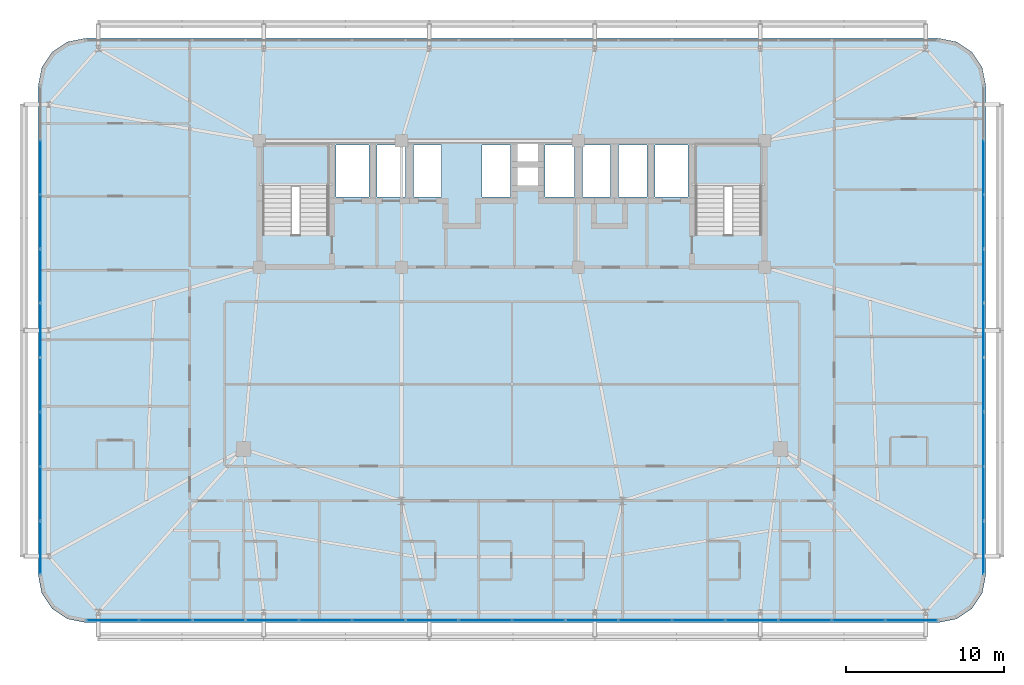
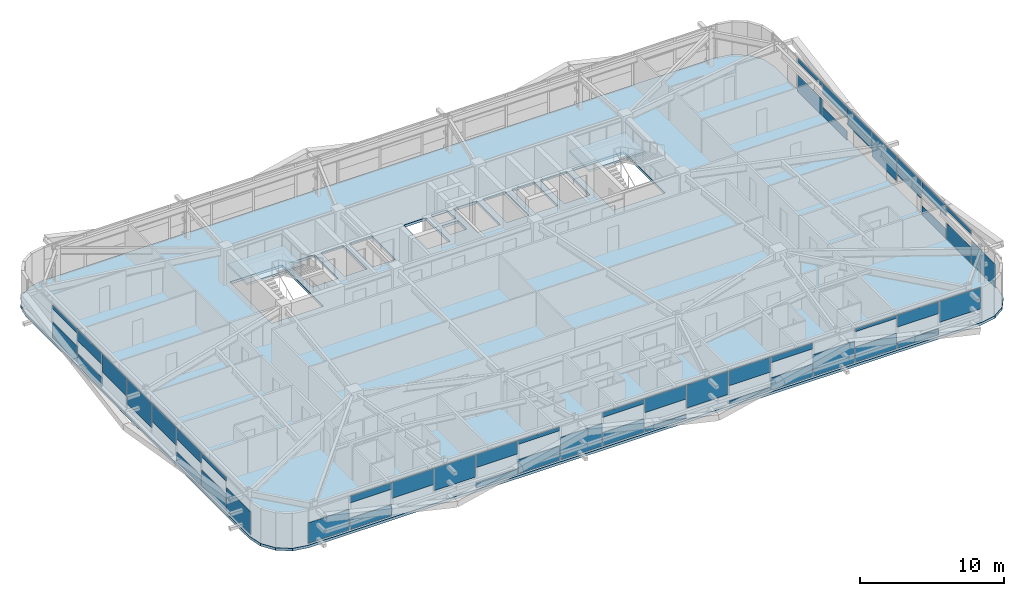
# One storey, part 42 of 59: 49 plates, 3 slabs, 5 elements without a shape of their own.
"""IFC4 building model written with IfcOpenShell, lengths in metres."""

import ifcopenshell
import ifcopenshell.guid

model = None  # the IFC model being written
_history = None  # IfcOwnerHistory: only IFC2X3 demands one
_inside = {}  # id of a spatial element -> (the spatial element, [elements in it])
_under = {}  # id of a project, library or spatial element -> (it, [spatial elements below it])
_declared = {}  # id of a project -> (the project, [libraries it declares])
_typed = {}  # id of a type object -> (the type object, [elements of that type])
_made_of = {}  # id of a material, layer set ... -> (it, [elements and type objects made of it])


def new_model(schema):
    """Start an empty IFC model of exactly this schema.

    Asked for "IFC4X3", IfcOpenShell would pick the latest addendum, in which some entities
    have other attributes; the version numbers below select the first issue.
    IFC2X3 requires an IfcOwnerHistory on every rooted entity: one is made here for all.
    """
    global model, _history
    if schema == "IFC4X3":
        model = ifcopenshell.file(schema_version=(4, 3, 0, 0))
    else:
        model = ifcopenshell.file(schema=schema)
    _inside.clear()
    _under.clear()
    _declared.clear()
    _typed.clear()
    _made_of.clear()
    _history = None
    if model.schema == "IFC2X3":
        org = make("IfcOrganization", Name="unknown")
        user = make(
            "IfcPersonAndOrganization",
            ThePerson=make("IfcPerson", FamilyName="unknown"),
            TheOrganization=org,
        )
        app = make(
            "IfcApplication",
            ApplicationDeveloper=org,
            Version="unknown",
            ApplicationFullName="unknown",
            ApplicationIdentifier="unknown",
        )
        _history = make(
            "IfcOwnerHistory",
            OwningUser=user,
            OwningApplication=app,
            ChangeAction="ADDED",
            CreationDate=0,
        )
    return model


def make(cls, **values):
    """One entity of the class cls with the attributes given. An attribute that is None is left unset."""
    return model.create_entity(
        cls, **{name: value for name, value in values.items() if value is not None}
    )


def rooted(cls, **values):
    """An entity with a GlobalId (a new one), such as an element, a storey or a relation."""
    return make(cls, GlobalId=ifcopenshell.guid.new(), OwnerHistory=_history, **values)


def si_unit(unit_type, name, prefix=None):
    """IfcSIUnit, for example si_unit("LENGTHUNIT", "METRE", prefix="MILLI")."""
    return make("IfcSIUnit", UnitType=unit_type, Prefix=prefix, Name=name)


def assignment(units):
    """IfcUnitAssignment: the units of a project."""
    return None if units is None else make("IfcUnitAssignment", Units=units)


def point(xyz):
    """IfcCartesianPoint."""
    return None if xyz is None else make("IfcCartesianPoint", Coordinates=xyz)


def direction(xyz):
    """IfcDirection."""
    return None if xyz is None else make("IfcDirection", DirectionRatios=xyz)


def frame(location, z_axis=None, x_axis=None):
    """IfcAxis2Placement3D, a coordinate frame: its origin and axes. An axis left out is left unset."""
    return make(
        "IfcAxis2Placement3D",
        Location=point(location),
        Axis=direction(z_axis),
        RefDirection=direction(x_axis),
    )


def frame_2d(location, x_axis=None):
    """IfcAxis2Placement2D, a coordinate frame in the plane: its origin and x axis."""
    return make(
        "IfcAxis2Placement2D", Location=point(location), RefDirection=direction(x_axis)
    )


def origin():
    """The frame at (0, 0, 0) with its axes left unset."""
    return frame((0.0, 0.0, 0.0))


def origin_2d():
    """The frame at (0, 0) in the plane with its x axis left unset."""
    return frame_2d((0.0, 0.0))


def place(relative_to, where):
    """IfcLocalPlacement: puts the frame where relative to a parent placement (None: the world)."""
    return make(
        "IfcLocalPlacement", PlacementRelTo=relative_to, RelativePlacement=where
    )


def context(
    kind, dimensions, precision=None, world=None, true_north=None, identifier=None
):
    """IfcGeometricRepresentationContext, for example the 3D "Model" context."""
    return make(
        "IfcGeometricRepresentationContext",
        ContextIdentifier=identifier,
        ContextType=kind,
        CoordinateSpaceDimension=dimensions,
        Precision=precision,
        WorldCoordinateSystem=world,
        TrueNorth=true_north,
    )


def subcontext(parent, identifier, kind, view, scale=None):
    """IfcGeometricRepresentationSubContext, for example "Body" below "Model"."""
    return make(
        "IfcGeometricRepresentationSubContext",
        ContextIdentifier=identifier,
        ContextType=kind,
        ParentContext=parent,
        TargetScale=scale,
        TargetView=view,
    )


def project(units=None, contexts=None):
    """IfcProject with its units and contexts."""
    return rooted(
        "IfcProject",
        Name="project",
        RepresentationContexts=contexts,
        UnitsInContext=assignment(units),
    )


def spatial(cls, under=None, at=None, **own):
    """A site, building, storey or space (cls), placed at a placement, below another one or the project."""
    s = rooted(cls, ObjectPlacement=at, **own)
    if under is not None:
        _under.setdefault(under.id(), (under, []))[1].append(s)
    return s


def polyline(points):
    """IfcPolyline through the points."""
    return make("IfcPolyline", Points=[point(p) for p in points])


def profile(cls, at=None, kind="AREA", **sizes):
    """A parametric profile (cls). Its sizes go by their IFC names, for example OverallWidth=200.0."""
    return make(cls, ProfileType=kind, Position=at, **sizes)


def rectangle(**sizes):
    """IfcRectangleProfileDef."""
    return profile("IfcRectangleProfileDef", **sizes)


def outline(outer, holes=None, kind="AREA"):
    """IfcArbitraryClosedProfileDef: a profile drawn as a closed curve; with holes, ...WithVoids."""
    if holes is None:
        return make("IfcArbitraryClosedProfileDef", ProfileType=kind, OuterCurve=outer)
    return make(
        "IfcArbitraryProfileDefWithVoids",
        ProfileType=kind,
        OuterCurve=outer,
        InnerCurves=holes,
    )


def extrude(swept, where, along, depth):
    """IfcExtrudedAreaSolid: the profile swept, set in the frame where, extruded along a direction by depth."""
    return make(
        "IfcExtrudedAreaSolid",
        SweptArea=swept,
        Position=where,
        ExtrudedDirection=direction(along),
        Depth=depth,
    )


def shape(context_of_items, identifier, shape_type, items):
    """IfcShapeRepresentation: the items that make up one representation, for example the "Body"."""
    return make(
        "IfcShapeRepresentation",
        ContextOfItems=context_of_items,
        RepresentationIdentifier=identifier,
        RepresentationType=shape_type,
        Items=items,
    )


def source(mapping_origin, context_of_items, identifier, shape_type, items):
    """IfcRepresentationMap: a shape defined once, which mapped items show again and again."""
    return make(
        "IfcRepresentationMap",
        MappingOrigin=mapping_origin,
        MappedRepresentation=shape(context_of_items, identifier, shape_type, items),
    )


def transform(
    local_origin,
    x_axis=None,
    y_axis=None,
    z_axis=None,
    scale=None,
    scale2=None,
    scale3=None,
    uniform=True,
):
    """IfcCartesianTransformationOperator3D, or its non-uniform kind. x_axis, y_axis, z_axis: its Axis1, 2, 3."""
    if uniform:
        return make(
            "IfcCartesianTransformationOperator3D",
            Axis1=direction(x_axis),
            Axis2=direction(y_axis),
            LocalOrigin=point(local_origin),
            Scale=scale,
            Axis3=direction(z_axis),
        )
    return make(
        "IfcCartesianTransformationOperator3DnonUniform",
        Axis1=direction(x_axis),
        Axis2=direction(y_axis),
        LocalOrigin=point(local_origin),
        Scale=scale,
        Axis3=direction(z_axis),
        Scale2=scale2,
        Scale3=scale3,
    )


def mapped(mapping_source, mapping_target):
    """IfcMappedItem: shows the shape of a source again, moved by a transform."""
    return make(
        "IfcMappedItem", MappingSource=mapping_source, MappingTarget=mapping_target
    )


def material(Name=None, Category=None):
    """IfcMaterial."""
    return make("IfcMaterial", Name=Name, Category=Category)


def layer(
    of_material, thickness, ventilated=None, Name=None, Category=None, Priority=None
):
    """IfcMaterialLayer: one layer of a wall or slab, of a material (None: an air gap)."""
    return make(
        "IfcMaterialLayer",
        Material=of_material,
        LayerThickness=thickness,
        IsVentilated=ventilated,
        Name=Name,
        Category=Category,
        Priority=Priority,
    )


def layer_set(layers, Name=None):
    """IfcMaterialLayerSet."""
    return make("IfcMaterialLayerSet", MaterialLayers=layers, LayerSetName=Name)


def made_of(thing, what):
    """Note that an element or type object is made of a material, layer set ...; save() writes the relation."""
    if what is not None:
        _made_of.setdefault(what.id(), (what, []))[1].append(thing)
    return thing


def type_object(cls, material=None, **own):
    """A type object (cls), such as IfcWallType, which elements share."""
    return made_of(rooted(cls, **own), material)


def element(
    cls,
    number,
    at=None,
    inside=None,
    cuts=None,
    type_object=None,
    material=None,
    context=None,
    identifier="Body",
    shape_type=None,
    held_by="IfcProductDefinitionShape",
    body=None,
    shapes=None,
    **own,
):
    """One element of the class cls, such as IfcWall. Its Tag is "e" and its number.

    at: its placement. inside: the storey or other place that contains it. cuts: it is an
    opening in that element (IfcRelVoidsElement). A single representation is given by context,
    identifier, shape_type and body (its items); several are given by shapes. held_by: the class
    of the entity that holds the representations. save() writes the other relations.
    """
    e = rooted(cls, Tag="e%d" % number, ObjectPlacement=at, **own)
    if body is not None:
        shapes = [shape(context, identifier, shape_type, body)]
    if shapes is not None:
        e.Representation = make(held_by, Representations=shapes)
    if inside is not None:
        _inside.setdefault(inside.id(), (inside, []))[1].append(e)
    if cuts is not None:
        rooted(
            "IfcRelVoidsElement", RelatingBuildingElement=cuts, RelatedOpeningElement=e
        )
    if type_object is not None:
        _typed.setdefault(type_object.id(), (type_object, []))[1].append(e)
    return made_of(e, material)


def aggregate(whole, parts):
    """IfcRelAggregates: a whole, such as a stair, and the parts it consists of."""
    return rooted("IfcRelAggregates", RelatingObject=whole, RelatedObjects=parts)


def save(model, path):
    """Write the relations noted so far, then the file.

    IfcRelAggregates (storeys below a building ...), IfcRelContainedInSpatialStructure (elements
    in a storey), IfcRelDefinesByType, IfcRelAssociatesMaterial and IfcRelDeclares: one each for
    every whole, place, type object, material and project.
    """
    for whole, parts in _under.values():
        aggregate(whole, parts)
    for where, things in _inside.values():
        rooted(
            "IfcRelContainedInSpatialStructure",
            RelatedElements=things,
            RelatingStructure=where,
        )
    for kind, things in _typed.values():
        rooted("IfcRelDefinesByType", RelatedObjects=things, RelatingType=kind)
    for what, things in _made_of.values():
        rooted("IfcRelAssociatesMaterial", RelatedObjects=things, RelatingMaterial=what)
    for by, libraries in _declared.values():
        rooted("IfcRelDeclares", RelatingContext=by, RelatedDefinitions=libraries)
    model.write(path)


model = new_model("IFC4")

# Units and contexts
model_context = context("Model", 3, precision=1e-05, world=origin(), true_north=direction((0.0, 1.0)))
body_context = subcontext(model_context, "Body", "Model", "MODEL_VIEW")
ifc_project = project(units=[si_unit("LENGTHUNIT", "METRE"), si_unit("AREAUNIT", "SQUARE_METRE"), si_unit("VOLUMEUNIT", "CUBIC_METRE"), si_unit("PLANEANGLEUNIT", "RADIAN"), si_unit("MASSUNIT", "GRAM", prefix="KILO")], contexts=[model_context])

# Site, building, storey
site_placement = place(None, origin())
site = spatial("IfcSite", under=ifc_project, at=site_placement, CompositionType="ELEMENT")
building_placement = place(site_placement, origin())
building = spatial("IfcBuilding", under=site, at=building_placement, Name="Taldren Reach Tower", CompositionType="ELEMENT")
storey_placement = place(building_placement, frame((0.0, 0.0, 19.949951171875)))
storey = spatial("IfcBuildingStorey", under=building, at=storey_placement, Name="L05", CompositionType="ELEMENT", Elevation=19.949951171875)

# Slab
ifc_material_1 = material(Name="Concrete N40 (40 MPa)", Category="concrete")
ifc_layer_1 = layer(ifc_material_1, 0.219970703125)
ifc_layer_set_1 = layer_set([ifc_layer_1], Name="Concrete N40 (40 MPa)")
slab_type_1 = type_object("IfcSlabType", Name="SL-FLR-220", PredefinedType="FLOOR", material=ifc_layer_set_1)
slab_1_placement = place(storey_placement, frame((0.0, 0.0, -0.219970703125)))
element("IfcSlab", 1, at=slab_1_placement, inside=storey, type_object=slab_type_1, Name="Suspended floor slab L05", PredefinedType="FLOOR", context=body_context, shape_type="SweptSolid", body=[
    extrude(outline(polyline([(62.0, 1.5), (63.14794921875, 1.728271484375), (64.121337890625, 2.378662109375), (64.771728515625, 3.35205078125), (65.0, 4.5), (65.0, 35.5), (64.771728515625, 36.64794921875), (64.121337890625, 37.621337890625), (63.14794921875, 38.271728515625), (62.0, 38.5), (8.0, 38.5), (6.85205078125, 38.271728515625), (5.878662109375, 37.621337890625), (5.228271484375, 36.64794921875), (5.0, 35.5), (5.0, 4.5), (5.228271484375, 3.35205078125), (5.878662109375, 2.378662109375), (6.85205078125, 1.728271484375), (8.0, 1.5), (62.0, 1.5)]), holes=[polyline([(19.219970703125, 26.050048828125), (23.3798828125, 26.050048828125), (23.3798828125, 31.820068359375), (19.219970703125, 31.820068359375), (19.219970703125, 26.050048828125)]), polyline([(46.6201171875, 26.050048828125), (50.780029296875, 26.050048828125), (50.780029296875, 31.820068359375), (46.6201171875, 31.820068359375), (46.6201171875, 26.050048828125)]), polyline([(23.85009765625, 28.449951171875), (25.949951171875, 28.449951171875), (25.949951171875, 31.75), (23.85009765625, 31.75), (23.85009765625, 28.449951171875)]), polyline([(44.050048828125, 28.449951171875), (46.14990234375, 28.449951171875), (46.14990234375, 31.75), (44.050048828125, 31.75), (44.050048828125, 28.449951171875)]), polyline([(26.449951171875, 28.449951171875), (28.25, 28.449951171875), (28.25, 31.75), (26.449951171875, 31.75), (26.449951171875, 28.449951171875)]), polyline([(28.75, 28.449951171875), (30.550048828125, 28.449951171875), (30.550048828125, 31.75), (28.75, 31.75), (28.75, 28.449951171875)]), polyline([(33.10009765625, 28.449951171875), (34.89990234375, 28.449951171875), (34.89990234375, 31.75), (33.10009765625, 31.75), (33.10009765625, 28.449951171875)]), polyline([(37.10009765625, 28.449951171875), (38.949951171875, 28.449951171875), (38.949951171875, 31.75), (37.10009765625, 31.75), (37.10009765625, 28.449951171875)]), polyline([(39.449951171875, 28.449951171875), (41.25, 28.449951171875), (41.25, 31.75), (39.449951171875, 31.75), (39.449951171875, 28.449951171875)]), polyline([(41.75, 28.449951171875), (43.550048828125, 28.449951171875), (43.550048828125, 31.75), (41.75, 31.75), (41.75, 28.449951171875)]), polyline([(35.35009765625, 30.64990234375), (36.64990234375, 30.64990234375), (36.64990234375, 31.85009765625), (35.35009765625, 31.85009765625), (35.35009765625, 30.64990234375)]), polyline([(35.35009765625, 29.14990234375), (36.64990234375, 29.14990234375), (36.64990234375, 30.35009765625), (35.35009765625, 30.35009765625), (35.35009765625, 29.14990234375)])]), origin(), (0.0, 0.0, 1.0), 0.219970703125),
])

# Stair, slab
ifc_material_2 = material(Name="Concrete S50 (50 MPa)", Category="concrete")
stair_type = type_object("IfcStairType", Name="ST-HT-315", PredefinedType="HALF_TURN_STAIR", material=ifc_material_2)
stair_1_placement = place(storey_placement, origin())
stair_1 = element("IfcStair", 2, at=stair_1_placement, inside=storey, type_object=stair_type, Name="Fire-isolated exit stair ST1 L05", PredefinedType="HALF_TURN_STAIR")
ifc_layer_2 = layer(ifc_material_2, 0.179931640625)
ifc_layer_set_2 = layer_set([ifc_layer_2], Name="Concrete S50 (50 MPa)")
slab_type_2 = type_object("IfcSlabType", Name="SL-LAND-180", PredefinedType="LANDING", material=ifc_layer_set_2)
slab_2_placement = place(storey_placement, frame((0.0, 0.0, 1.39501953125)))
slab_2 = element("IfcSlab", 3, at=slab_2_placement, type_object=slab_type_2, Name="ST1 landing 1", PredefinedType="LANDING", context=body_context, shape_type="SweptSolid", body=[
    extrude(outline(polyline([(19.0400390625, 29.135009765625), (23.56005859375, 29.135009765625), (23.56005859375, 31.8701171875), (19.0400390625, 31.8701171875), (19.0400390625, 29.135009765625)])), origin(), (0.0, 0.0, 1.0), 0.179931640625),
])
aggregate(stair_1, [slab_2])

stair_2_placement = place(storey_placement, origin())
stair_2 = element("IfcStair", 4, at=stair_2_placement, inside=storey, type_object=stair_type, Name="Fire-isolated exit stair ST2 L05", PredefinedType="HALF_TURN_STAIR")
slab_3_placement = place(storey_placement, frame((0.0, 0.0, 1.39501953125)))
slab_3 = element("IfcSlab", 5, at=slab_3_placement, type_object=slab_type_2, Name="ST2 landing 1", PredefinedType="LANDING", context=body_context, shape_type="SweptSolid", body=[
    extrude(outline(polyline([(46.43994140625, 29.135009765625), (50.9599609375, 29.135009765625), (50.9599609375, 31.8701171875), (46.43994140625, 31.8701171875), (46.43994140625, 29.135009765625)])), origin(), (0.0, 0.0, 1.0), 0.179931640625),
])
aggregate(stair_2, [slab_3])

# Curtain wall, plates
ifc_material_3 = material(Name="Aluminium and Low-E Glass Unitised System", Category="aluminium")
ifc_layer_3 = layer(ifc_material_3, 0.159912109375)
ifc_layer_set_3 = layer_set([ifc_layer_3], Name="Aluminium and Low-E Glass Unitised System")
curtain_wall_type = type_object("IfcCurtainWallType", Name="CW-SYS-2", PredefinedType="NOTDEFINED", material=ifc_layer_set_3)
curtain_wall_1_placement = place(storey_placement, origin())
curtain_wall_1 = element("IfcCurtainWall", 6, at=curtain_wall_1_placement, inside=storey, type_object=curtain_wall_type, Name="Unitised curtain wall CW-L05-S", PredefinedType="NOTDEFINED")
ifc_material_4 = material(Name="Solar-Control Double Glazed IGU", Category="glass")
ifc_layer_4 = layer(ifc_material_4, 0.031982421875)
ifc_layer_set_4 = layer_set([ifc_layer_4], Name="Solar-Control Double Glazed IGU")
plate_type = type_object("IfcPlateType", Name="CW-PNL-IGU32", PredefinedType="CURTAIN_PANEL", material=ifc_layer_set_4)
shared_shape_1 = source(origin(), body_context, "Body", "SweptSolid", [
    extrude(rectangle(XDim=3.277587890625, YDim=0.031982421875, at=origin_2d()), origin(), (0.0, 0.0, 1.0), 1.73876953125),
])
plate_1_placement = place(storey_placement, frame((9.703857421875, 1.639892578125, 0.054931640625), z_axis=(0.0, 0.0, 1.0), x_axis=(1.0, 0.0, 0.0)))
plate_1 = element("IfcPlate", 7, at=plate_1_placement, type_object=plate_type, Name="CW-2 panel 1.1 part 1", PredefinedType="CURTAIN_PANEL", context=body_context, shape_type="MappedRepresentation", body=[
    mapped(shared_shape_1, transform((0.0, 0.0, 0.0), scale=1.0)),
])
shared_shape_2 = source(origin(), body_context, "Body", "SweptSolid", [
    extrude(rectangle(XDim=3.31005859375, YDim=0.031982421875, at=origin_2d()), origin(), (0.0, 0.0, 1.0), 0.9560546875),
])
plate_2_placement = place(storey_placement, frame((13.0625, 1.639892578125, 0.05517578125), z_axis=(0.0, 0.0, 1.0), x_axis=(1.0, 0.0, 0.0)))
plate_2 = element("IfcPlate", 8, at=plate_2_placement, type_object=plate_type, Name="CW-2 panel 2.1 part 1", PredefinedType="CURTAIN_PANEL", context=body_context, shape_type="MappedRepresentation", body=[
    mapped(shared_shape_2, transform((0.0, 0.0, 0.0), scale=1.0)),
])
shared_shape_3 = source(origin(), body_context, "Body", "SweptSolid", [
    extrude(rectangle(XDim=3.31005859375, YDim=0.031982421875, at=origin_2d()), origin(), (0.0, 0.0, 1.0), 0.562744140625),
])
plate_3_placement = place(storey_placement, frame((13.0625, 1.639892578125, 2.3125), z_axis=(0.0, 0.0, 1.0), x_axis=(1.0, 0.0, 0.0)))
plate_3 = element("IfcPlate", 9, at=plate_3_placement, type_object=plate_type, Name="CW-2 panel 2.1 part 2", PredefinedType="CURTAIN_PANEL", context=body_context, shape_type="MappedRepresentation", body=[
    mapped(shared_shape_3, transform((0.0, 0.0, 0.0), scale=1.0)),
])
shared_shape_4 = source(origin(), body_context, "Body", "SweptSolid", [
    extrude(rectangle(XDim=3.31005859375, YDim=0.031982421875, at=origin_2d()), origin(), (0.0, 0.0, 1.0), 1.345458984375),
])
plate_4_placement = place(storey_placement, frame((16.4375, 1.639892578125, 1.52978515625), z_axis=(0.0, 0.0, 1.0), x_axis=(1.0, 0.0, 0.0)))
plate_4 = element("IfcPlate", 10, at=plate_4_placement, type_object=plate_type, Name="CW-2 panel 3.1 part 1", PredefinedType="CURTAIN_PANEL", context=body_context, shape_type="MappedRepresentation", body=[
    mapped(shared_shape_4, transform((0.0, 0.0, 0.0), scale=1.0)),
])
shared_shape_5 = source(origin(), body_context, "Body", "SweptSolid", [
    extrude(rectangle(XDim=3.31005859375, YDim=0.031982421875, at=origin_2d()), origin(), (0.0, 0.0, 1.0), 1.881103515625),
])
plate_5_placement = place(storey_placement, frame((19.8125, 1.639892578125, 0.994140625), z_axis=(0.0, 0.0, 1.0), x_axis=(1.0, 0.0, 0.0)))
plate_5 = element("IfcPlate", 11, at=plate_5_placement, type_object=plate_type, Name="CW-2 panel 4.1 part 1", PredefinedType="CURTAIN_PANEL", context=body_context, shape_type="MappedRepresentation", body=[
    mapped(shared_shape_5, transform((0.0, 0.0, 0.0), scale=1.0)),
])
shared_shape_6 = source(origin(), body_context, "Body", "SweptSolid", [
    extrude(rectangle(XDim=3.31005859375, YDim=0.031982421875, at=origin_2d()), origin(), (0.0, 0.0, 1.0), 0.42041015625),
])
plate_6_placement = place(storey_placement, frame((23.1875, 1.639892578125, 0.05517578125), z_axis=(0.0, 0.0, 1.0), x_axis=(1.0, 0.0, 0.0)))
plate_6 = element("IfcPlate", 12, at=plate_6_placement, type_object=plate_type, Name="CW-2 panel 5.1 part 1", PredefinedType="CURTAIN_PANEL", context=body_context, shape_type="MappedRepresentation", body=[
    mapped(shared_shape_6, transform((0.0, 0.0, 0.0), scale=1.0)),
])
shared_shape_7 = source(origin(), body_context, "Body", "SweptSolid", [
    extrude(rectangle(XDim=3.31005859375, YDim=0.031982421875, at=origin_2d()), origin(), (0.0, 0.0, 1.0), 1.098388671875),
])
plate_7_placement = place(storey_placement, frame((23.1875, 1.639892578125, 1.77685546875), z_axis=(0.0, 0.0, 1.0), x_axis=(1.0, 0.0, 0.0)))
plate_7 = element("IfcPlate", 13, at=plate_7_placement, type_object=plate_type, Name="CW-2 panel 5.1 part 2", PredefinedType="CURTAIN_PANEL", context=body_context, shape_type="MappedRepresentation", body=[
    mapped(shared_shape_7, transform((0.0, 0.0, 0.0), scale=1.0)),
])
shared_shape_8 = source(origin(), body_context, "Body", "SweptSolid", [
    extrude(rectangle(XDim=3.31005859375, YDim=0.031982421875, at=origin_2d()), origin(), (0.0, 0.0, 1.0), 1.203125),
])
plate_8_placement = place(storey_placement, frame((26.5625, 1.639892578125, 0.054931640625), z_axis=(0.0, 0.0, 1.0), x_axis=(1.0, 0.0, 0.0)))
plate_8 = element("IfcPlate", 14, at=plate_8_placement, type_object=plate_type, Name="CW-2 panel 6.1 part 1", PredefinedType="CURTAIN_PANEL", context=body_context, shape_type="MappedRepresentation", body=[
    mapped(shared_shape_8, transform((0.0, 0.0, 0.0), scale=1.0)),
])
shared_shape_9 = source(origin(), body_context, "Body", "SweptSolid", [
    extrude(rectangle(XDim=3.31005859375, YDim=0.031982421875, at=origin_2d()), origin(), (0.0, 0.0, 1.0), 0.31591796875),
])
plate_9_placement = place(storey_placement, frame((26.5625, 1.639892578125, 2.55908203125), z_axis=(0.0, 0.0, 1.0), x_axis=(1.0, 0.0, 0.0)))
plate_9 = element("IfcPlate", 15, at=plate_9_placement, type_object=plate_type, Name="CW-2 panel 6.1 part 2", PredefinedType="CURTAIN_PANEL", context=body_context, shape_type="MappedRepresentation", body=[
    mapped(shared_shape_9, transform((0.0, 0.0, 0.0), scale=1.0)),
])
shared_shape_10 = source(origin(), body_context, "Body", "SweptSolid", [
    extrude(rectangle(XDim=3.31005859375, YDim=0.031982421875, at=origin_2d()), origin(), (0.0, 0.0, 1.0), 1.9033203125),
])
plate_10_placement = place(storey_placement, frame((29.9375, 1.639892578125, 0.05517578125), z_axis=(0.0, 0.0, 1.0), x_axis=(1.0, 0.0, 0.0)))
plate_10 = element("IfcPlate", 16, at=plate_10_placement, type_object=plate_type, Name="CW-2 panel 7.1 part 1", PredefinedType="CURTAIN_PANEL", context=body_context, shape_type="MappedRepresentation", body=[
    mapped(shared_shape_10, transform((0.0, 0.0, 0.0), scale=1.0)),
])
shared_shape_11 = source(origin(), body_context, "Body", "SweptSolid", [
    extrude(rectangle(XDim=3.31005859375, YDim=0.031982421875, at=origin_2d()), origin(), (0.0, 0.0, 1.0), 1.120849609375),
])
plate_11_placement = place(storey_placement, frame((33.3125, 1.639892578125, 0.05517578125), z_axis=(0.0, 0.0, 1.0), x_axis=(1.0, 0.0, 0.0)))
plate_11 = element("IfcPlate", 17, at=plate_11_placement, type_object=plate_type, Name="CW-2 panel 8.1 part 1", PredefinedType="CURTAIN_PANEL", context=body_context, shape_type="MappedRepresentation", body=[
    mapped(shared_shape_11, transform((0.0, 0.0, 0.0), scale=1.0)),
])
shared_shape_12 = source(origin(), body_context, "Body", "SweptSolid", [
    extrude(rectangle(XDim=3.31005859375, YDim=0.031982421875, at=origin_2d()), origin(), (0.0, 0.0, 1.0), 0.398193359375),
])
plate_12_placement = place(storey_placement, frame((33.3125, 1.639892578125, 2.47705078125), z_axis=(0.0, 0.0, 1.0), x_axis=(1.0, 0.0, 0.0)))
plate_12 = element("IfcPlate", 18, at=plate_12_placement, type_object=plate_type, Name="CW-2 panel 8.1 part 2", PredefinedType="CURTAIN_PANEL", context=body_context, shape_type="MappedRepresentation", body=[
    mapped(shared_shape_12, transform((0.0, 0.0, 0.0), scale=1.0)),
])
shared_shape_13 = source(origin(), body_context, "Body", "SweptSolid", [
    extrude(rectangle(XDim=3.31005859375, YDim=0.031982421875, at=origin_2d()), origin(), (0.0, 0.0, 1.0), 0.338134765625),
])
plate_13_placement = place(storey_placement, frame((36.6875, 1.639892578125, 0.05517578125), z_axis=(0.0, 0.0, 1.0), x_axis=(1.0, 0.0, 0.0)))
plate_13 = element("IfcPlate", 19, at=plate_13_placement, type_object=plate_type, Name="CW-2 panel 9.1 part 1", PredefinedType="CURTAIN_PANEL", context=body_context, shape_type="MappedRepresentation", body=[
    mapped(shared_shape_13, transform((0.0, 0.0, 0.0), scale=1.0)),
])
shared_shape_14 = source(origin(), body_context, "Body", "SweptSolid", [
    extrude(rectangle(XDim=3.31005859375, YDim=0.031982421875, at=origin_2d()), origin(), (0.0, 0.0, 1.0), 1.1806640625),
])
plate_14_placement = place(storey_placement, frame((36.6875, 1.639892578125, 1.6943359375), z_axis=(0.0, 0.0, 1.0), x_axis=(1.0, 0.0, 0.0)))
plate_14 = element("IfcPlate", 20, at=plate_14_placement, type_object=plate_type, Name="CW-2 panel 9.1 part 2", PredefinedType="CURTAIN_PANEL", context=body_context, shape_type="MappedRepresentation", body=[
    mapped(shared_shape_14, transform((0.0, 0.0, 0.0), scale=1.0)),
])
shared_shape_15 = source(origin(), body_context, "Body", "SweptSolid", [
    extrude(rectangle(XDim=3.31005859375, YDim=0.031982421875, at=origin_2d()), origin(), (0.0, 0.0, 1.0), 1.96337890625),
])
plate_15_placement = place(storey_placement, frame((40.0625, 1.639892578125, 0.91162109375), z_axis=(0.0, 0.0, 1.0), x_axis=(1.0, 0.0, 0.0)))
plate_15 = element("IfcPlate", 21, at=plate_15_placement, type_object=plate_type, Name="CW-2 panel 10.1 part 1", PredefinedType="CURTAIN_PANEL", context=body_context, shape_type="MappedRepresentation", body=[
    mapped(shared_shape_15, transform((0.0, 0.0, 0.0), scale=1.0)),
])
shared_shape_16 = source(origin(), body_context, "Body", "SweptSolid", [
    extrude(rectangle(XDim=3.31005859375, YDim=0.031982421875, at=origin_2d()), origin(), (0.0, 0.0, 1.0), 0.255859375),
])
plate_16_placement = place(storey_placement, frame((43.4375, 1.639892578125, 0.05517578125), z_axis=(0.0, 0.0, 1.0), x_axis=(1.0, 0.0, 0.0)))
plate_16 = element("IfcPlate", 22, at=plate_16_placement, type_object=plate_type, Name="CW-2 panel 11.1 part 1", PredefinedType="CURTAIN_PANEL", context=body_context, shape_type="MappedRepresentation", body=[
    mapped(shared_shape_16, transform((0.0, 0.0, 0.0), scale=1.0)),
])
shared_shape_17 = source(origin(), body_context, "Body", "SweptSolid", [
    extrude(rectangle(XDim=3.31005859375, YDim=0.031982421875, at=origin_2d()), origin(), (0.0, 0.0, 1.0), 1.26318359375),
])
plate_17_placement = place(storey_placement, frame((43.4375, 1.639892578125, 1.61181640625), z_axis=(0.0, 0.0, 1.0), x_axis=(1.0, 0.0, 0.0)))
plate_17 = element("IfcPlate", 23, at=plate_17_placement, type_object=plate_type, Name="CW-2 panel 11.1 part 2", PredefinedType="CURTAIN_PANEL", context=body_context, shape_type="MappedRepresentation", body=[
    mapped(shared_shape_17, transform((0.0, 0.0, 0.0), scale=1.0)),
])
shared_shape_18 = source(origin(), body_context, "Body", "SweptSolid", [
    extrude(rectangle(XDim=3.31005859375, YDim=0.031982421875, at=origin_2d()), origin(), (0.0, 0.0, 1.0), 1.03857421875),
])
plate_18_placement = place(storey_placement, frame((46.8125, 1.639892578125, 0.054931640625), z_axis=(0.0, 0.0, 1.0), x_axis=(1.0, 0.0, 0.0)))
plate_18 = element("IfcPlate", 24, at=plate_18_placement, type_object=plate_type, Name="CW-2 panel 12.1 part 1", PredefinedType="CURTAIN_PANEL", context=body_context, shape_type="MappedRepresentation", body=[
    mapped(shared_shape_18, transform((0.0, 0.0, 0.0), scale=1.0)),
])
shared_shape_19 = source(origin(), body_context, "Body", "SweptSolid", [
    extrude(rectangle(XDim=3.31005859375, YDim=0.031982421875, at=origin_2d()), origin(), (0.0, 0.0, 1.0), 0.48046875),
])
plate_19_placement = place(storey_placement, frame((46.8125, 1.639892578125, 2.39453125), z_axis=(0.0, 0.0, 1.0), x_axis=(1.0, 0.0, 0.0)))
plate_19 = element("IfcPlate", 25, at=plate_19_placement, type_object=plate_type, Name="CW-2 panel 12.1 part 2", PredefinedType="CURTAIN_PANEL", context=body_context, shape_type="MappedRepresentation", body=[
    mapped(shared_shape_19, transform((0.0, 0.0, 0.0), scale=1.0)),
])
shared_shape_20 = source(origin(), body_context, "Body", "SweptSolid", [
    extrude(rectangle(XDim=3.31005859375, YDim=0.031982421875, at=origin_2d()), origin(), (0.0, 0.0, 1.0), 1.821044921875),
])
plate_20_placement = place(storey_placement, frame((50.1875, 1.639892578125, 0.05517578125), z_axis=(0.0, 0.0, 1.0), x_axis=(1.0, 0.0, 0.0)))
plate_20 = element("IfcPlate", 26, at=plate_20_placement, type_object=plate_type, Name="CW-2 panel 13.1 part 1", PredefinedType="CURTAIN_PANEL", context=body_context, shape_type="MappedRepresentation", body=[
    mapped(shared_shape_20, transform((0.0, 0.0, 0.0), scale=1.0)),
])
shared_shape_21 = source(origin(), body_context, "Body", "SweptSolid", [
    extrude(rectangle(XDim=3.31005859375, YDim=0.031982421875, at=origin_2d()), origin(), (0.0, 0.0, 1.0), 1.285400390625),
])
plate_21_placement = place(storey_placement, frame((53.5625, 1.639892578125, 0.05517578125), z_axis=(0.0, 0.0, 1.0), x_axis=(1.0, 0.0, 0.0)))
plate_21 = element("IfcPlate", 27, at=plate_21_placement, type_object=plate_type, Name="CW-2 panel 14.1 part 1", PredefinedType="CURTAIN_PANEL", context=body_context, shape_type="MappedRepresentation", body=[
    mapped(shared_shape_21, transform((0.0, 0.0, 0.0), scale=1.0)),
])
shared_shape_22 = source(origin(), body_context, "Body", "SweptSolid", [
    extrude(rectangle(XDim=3.31005859375, YDim=0.031982421875, at=origin_2d()), origin(), (0.0, 0.0, 1.0), 0.233642578125),
])
plate_22_placement = place(storey_placement, frame((53.5625, 1.639892578125, 2.6416015625), z_axis=(0.0, 0.0, 1.0), x_axis=(1.0, 0.0, 0.0)))
plate_22 = element("IfcPlate", 28, at=plate_22_placement, type_object=plate_type, Name="CW-2 panel 14.1 part 2", PredefinedType="CURTAIN_PANEL", context=body_context, shape_type="MappedRepresentation", body=[
    mapped(shared_shape_22, transform((0.0, 0.0, 0.0), scale=1.0)),
])
shared_shape_23 = source(origin(), body_context, "Body", "SweptSolid", [
    extrude(rectangle(XDim=3.31005859375, YDim=0.031982421875, at=origin_2d()), origin(), (0.0, 0.0, 1.0), 0.5029296875),
])
plate_23_placement = place(storey_placement, frame((56.9375, 1.639892578125, 0.054931640625), z_axis=(0.0, 0.0, 1.0), x_axis=(1.0, 0.0, 0.0)))
plate_23 = element("IfcPlate", 29, at=plate_23_placement, type_object=plate_type, Name="CW-2 panel 15.1 part 1", PredefinedType="CURTAIN_PANEL", context=body_context, shape_type="MappedRepresentation", body=[
    mapped(shared_shape_23, transform((0.0, 0.0, 0.0), scale=1.0)),
])
shared_shape_24 = source(origin(), body_context, "Body", "SweptSolid", [
    extrude(rectangle(XDim=3.31005859375, YDim=0.031982421875, at=origin_2d()), origin(), (0.0, 0.0, 1.0), 1.01611328125),
])
plate_24_placement = place(storey_placement, frame((56.9375, 1.639892578125, 1.85888671875), z_axis=(0.0, 0.0, 1.0), x_axis=(1.0, 0.0, 0.0)))
plate_24 = element("IfcPlate", 30, at=plate_24_placement, type_object=plate_type, Name="CW-2 panel 15.1 part 2", PredefinedType="CURTAIN_PANEL", context=body_context, shape_type="MappedRepresentation", body=[
    mapped(shared_shape_24, transform((0.0, 0.0, 0.0), scale=1.0)),
])
shared_shape_25 = source(origin(), body_context, "Body", "SweptSolid", [
    extrude(rectangle(XDim=3.277587890625, YDim=0.031982421875, at=origin_2d()), origin(), (0.0, 0.0, 1.0), 1.798583984375),
])
plate_25_placement = place(storey_placement, frame((60.296142578125, 1.639892578125, 1.076171875), z_axis=(0.0, 0.0, 1.0), x_axis=(1.0, 0.0, 0.0)))
plate_25 = element("IfcPlate", 31, at=plate_25_placement, type_object=plate_type, Name="CW-2 panel 16.1 part 1", PredefinedType="CURTAIN_PANEL", context=body_context, shape_type="MappedRepresentation", body=[
    mapped(shared_shape_25, transform((0.0, 0.0, 0.0), scale=1.0)),
])
aggregate(curtain_wall_1, [plate_1, plate_2, plate_3, plate_4, plate_5, plate_6, plate_7, plate_8, plate_9, plate_10, plate_11, plate_12, plate_13, plate_14, plate_15, plate_16, plate_17, plate_18, plate_19, plate_20, plate_21, plate_22, plate_23, plate_24, plate_25])

# Curtain wall, plate
curtain_wall_2_placement = place(storey_placement, origin())
curtain_wall_2 = element("IfcCurtainWall", 32, at=curtain_wall_2_placement, inside=storey, type_object=curtain_wall_type, Name="Unitised curtain wall CW-L05-W", PredefinedType="NOTDEFINED")
shared_shape_26 = source(origin(), body_context, "Body", "SweptSolid", [
    extrude(rectangle(XDim=3.346923828125, YDim=0.031982421875, at=origin_2d()), origin(), (0.0, 0.0, 1.0), 1.95556640625),
])
plate_26_placement = place(storey_placement, frame((5.139892578125, 6.238525390625, 0.054931640625), z_axis=(0.0, 0.0, 1.0), x_axis=(0.0, -1.0, 0.0)))
plate_26 = element("IfcPlate", 33, at=plate_26_placement, type_object=plate_type, Name="CW-2 panel 9.1 part 1", PredefinedType="CURTAIN_PANEL", context=body_context, shape_type="MappedRepresentation", body=[
    mapped(shared_shape_26, transform((0.0, 0.0, 0.0), scale=1.0)),
])

curtain_wall_3_placement = place(storey_placement, origin())
curtain_wall_3 = element("IfcCurtainWall", 34, at=curtain_wall_3_placement, inside=storey, type_object=curtain_wall_type, Name="Unitised curtain wall CW-L05-E", PredefinedType="NOTDEFINED")
plate_27_placement = place(storey_placement, frame((64.860107421875, 6.238525390625, 0.054931640625), z_axis=(0.0, 0.0, 1.0), x_axis=(0.0, 1.0, 0.0)))
plate_27 = element("IfcPlate", 35, at=plate_27_placement, type_object=plate_type, Name="CW-2 panel 1.1 part 1", PredefinedType="CURTAIN_PANEL", context=body_context, shape_type="MappedRepresentation", body=[
    mapped(shared_shape_26, transform((0.0, 0.0, 0.0), scale=1.0)),
])

# Plate
shared_shape_27 = source(origin(), body_context, "Body", "SweptSolid", [
    extrude(rectangle(XDim=3.37939453125, YDim=0.031982421875, at=origin_2d()), origin(), (0.0, 0.0, 1.0), 1.3701171875),
])
plate_28_placement = place(storey_placement, frame((5.139892578125, 30.333251953125, 0.05517578125), z_axis=(0.0, 0.0, 1.0), x_axis=(0.0, -1.0, 0.0)))
plate_28 = element("IfcPlate", 36, at=plate_28_placement, type_object=plate_type, Name="CW-2 panel 2.1 part 1", PredefinedType="CURTAIN_PANEL", context=body_context, shape_type="MappedRepresentation", body=[
    mapped(shared_shape_27, transform((0.0, 0.0, 0.0), scale=1.0)),
])

plate_29_placement = place(storey_placement, frame((5.139892578125, 9.666748046875, 0.05517578125), z_axis=(0.0, 0.0, 1.0), x_axis=(0.0, -1.0, 0.0)))
plate_29 = element("IfcPlate", 37, at=plate_29_placement, type_object=plate_type, Name="CW-2 panel 8.1 part 1", PredefinedType="CURTAIN_PANEL", context=body_context, shape_type="MappedRepresentation", body=[
    mapped(shared_shape_27, transform((0.0, 0.0, 0.0), scale=1.0)),
])

plate_30_placement = place(storey_placement, frame((64.860107421875, 9.666748046875, 0.05517578125), z_axis=(0.0, 0.0, 1.0), x_axis=(0.0, 1.0, 0.0)))
plate_30 = element("IfcPlate", 38, at=plate_30_placement, type_object=plate_type, Name="CW-2 panel 2.1 part 1", PredefinedType="CURTAIN_PANEL", context=body_context, shape_type="MappedRepresentation", body=[
    mapped(shared_shape_27, transform((0.0, 0.0, 0.0), scale=1.0)),
])

plate_31_placement = place(storey_placement, frame((64.860107421875, 30.333251953125, 0.05517578125), z_axis=(0.0, 0.0, 1.0), x_axis=(0.0, 1.0, 0.0)))
plate_31 = element("IfcPlate", 39, at=plate_31_placement, type_object=plate_type, Name="CW-2 panel 8.1 part 1", PredefinedType="CURTAIN_PANEL", context=body_context, shape_type="MappedRepresentation", body=[
    mapped(shared_shape_27, transform((0.0, 0.0, 0.0), scale=1.0)),
])

shared_shape_28 = source(origin(), body_context, "Body", "SweptSolid", [
    extrude(rectangle(XDim=3.37939453125, YDim=0.031982421875, at=origin_2d()), origin(), (0.0, 0.0, 1.0), 0.34814453125),
])
plate_32_placement = place(storey_placement, frame((5.139892578125, 30.333251953125, 2.52685546875), z_axis=(0.0, 0.0, 1.0), x_axis=(0.0, -1.0, 0.0)))
plate_32 = element("IfcPlate", 40, at=plate_32_placement, type_object=plate_type, Name="CW-2 panel 2.1 part 2", PredefinedType="CURTAIN_PANEL", context=body_context, shape_type="MappedRepresentation", body=[
    mapped(shared_shape_28, transform((0.0, 0.0, 0.0), scale=1.0)),
])

plate_33_placement = place(storey_placement, frame((5.139892578125, 9.666748046875, 2.52685546875), z_axis=(0.0, 0.0, 1.0), x_axis=(0.0, -1.0, 0.0)))
plate_33 = element("IfcPlate", 41, at=plate_33_placement, type_object=plate_type, Name="CW-2 panel 8.1 part 2", PredefinedType="CURTAIN_PANEL", context=body_context, shape_type="MappedRepresentation", body=[
    mapped(shared_shape_28, transform((0.0, 0.0, 0.0), scale=1.0)),
])

plate_34_placement = place(storey_placement, frame((64.860107421875, 9.666748046875, 2.52685546875), z_axis=(0.0, 0.0, 1.0), x_axis=(0.0, 1.0, 0.0)))
plate_34 = element("IfcPlate", 42, at=plate_34_placement, type_object=plate_type, Name="CW-2 panel 2.1 part 2", PredefinedType="CURTAIN_PANEL", context=body_context, shape_type="MappedRepresentation", body=[
    mapped(shared_shape_28, transform((0.0, 0.0, 0.0), scale=1.0)),
])

plate_35_placement = place(storey_placement, frame((64.860107421875, 30.333251953125, 2.52685546875), z_axis=(0.0, 0.0, 1.0), x_axis=(0.0, 1.0, 0.0)))
plate_35 = element("IfcPlate", 43, at=plate_35_placement, type_object=plate_type, Name="CW-2 panel 8.1 part 2", PredefinedType="CURTAIN_PANEL", context=body_context, shape_type="MappedRepresentation", body=[
    mapped(shared_shape_28, transform((0.0, 0.0, 0.0), scale=1.0)),
])

shared_shape_29 = source(origin(), body_context, "Body", "SweptSolid", [
    extrude(rectangle(XDim=3.37939453125, YDim=0.031982421875, at=origin_2d()), origin(), (0.0, 0.0, 1.0), 0.784912109375),
])
plate_36_placement = place(storey_placement, frame((5.139892578125, 26.888916015625, 0.05517578125), z_axis=(0.0, 0.0, 1.0), x_axis=(0.0, -1.0, 0.0)))
plate_36 = element("IfcPlate", 44, at=plate_36_placement, type_object=plate_type, Name="CW-2 panel 3.1 part 1", PredefinedType="CURTAIN_PANEL", context=body_context, shape_type="MappedRepresentation", body=[
    mapped(shared_shape_29, transform((0.0, 0.0, 0.0), scale=1.0)),
])

plate_37_placement = place(storey_placement, frame((5.139892578125, 13.111083984375, 0.05517578125), z_axis=(0.0, 0.0, 1.0), x_axis=(0.0, -1.0, 0.0)))
plate_37 = element("IfcPlate", 45, at=plate_37_placement, type_object=plate_type, Name="CW-2 panel 7.1 part 1", PredefinedType="CURTAIN_PANEL", context=body_context, shape_type="MappedRepresentation", body=[
    mapped(shared_shape_29, transform((0.0, 0.0, 0.0), scale=1.0)),
])

plate_38_placement = place(storey_placement, frame((64.860107421875, 13.111083984375, 0.05517578125), z_axis=(0.0, 0.0, 1.0), x_axis=(0.0, 1.0, 0.0)))
plate_38 = element("IfcPlate", 46, at=plate_38_placement, type_object=plate_type, Name="CW-2 panel 3.1 part 1", PredefinedType="CURTAIN_PANEL", context=body_context, shape_type="MappedRepresentation", body=[
    mapped(shared_shape_29, transform((0.0, 0.0, 0.0), scale=1.0)),
])

plate_39_placement = place(storey_placement, frame((64.860107421875, 26.888916015625, 0.05517578125), z_axis=(0.0, 0.0, 1.0), x_axis=(0.0, 1.0, 0.0)))
plate_39 = element("IfcPlate", 47, at=plate_39_placement, type_object=plate_type, Name="CW-2 panel 7.1 part 1", PredefinedType="CURTAIN_PANEL", context=body_context, shape_type="MappedRepresentation", body=[
    mapped(shared_shape_29, transform((0.0, 0.0, 0.0), scale=1.0)),
])

shared_shape_30 = source(origin(), body_context, "Body", "SweptSolid", [
    extrude(rectangle(XDim=3.37939453125, YDim=0.031982421875, at=origin_2d()), origin(), (0.0, 0.0, 1.0), 0.93359375),
])
plate_40_placement = place(storey_placement, frame((5.139892578125, 26.888916015625, 1.94140625), z_axis=(0.0, 0.0, 1.0), x_axis=(0.0, -1.0, 0.0)))
plate_40 = element("IfcPlate", 48, at=plate_40_placement, type_object=plate_type, Name="CW-2 panel 3.1 part 2", PredefinedType="CURTAIN_PANEL", context=body_context, shape_type="MappedRepresentation", body=[
    mapped(shared_shape_30, transform((0.0, 0.0, 0.0), scale=1.0)),
])

plate_41_placement = place(storey_placement, frame((5.139892578125, 13.111083984375, 1.94140625), z_axis=(0.0, 0.0, 1.0), x_axis=(0.0, -1.0, 0.0)))
plate_41 = element("IfcPlate", 49, at=plate_41_placement, type_object=plate_type, Name="CW-2 panel 7.1 part 2", PredefinedType="CURTAIN_PANEL", context=body_context, shape_type="MappedRepresentation", body=[
    mapped(shared_shape_30, transform((0.0, 0.0, 0.0), scale=1.0)),
])

plate_42_placement = place(storey_placement, frame((64.860107421875, 13.111083984375, 1.94140625), z_axis=(0.0, 0.0, 1.0), x_axis=(0.0, 1.0, 0.0)))
plate_42 = element("IfcPlate", 50, at=plate_42_placement, type_object=plate_type, Name="CW-2 panel 3.1 part 2", PredefinedType="CURTAIN_PANEL", context=body_context, shape_type="MappedRepresentation", body=[
    mapped(shared_shape_30, transform((0.0, 0.0, 0.0), scale=1.0)),
])

plate_43_placement = place(storey_placement, frame((64.860107421875, 26.888916015625, 1.94140625), z_axis=(0.0, 0.0, 1.0), x_axis=(0.0, 1.0, 0.0)))
plate_43 = element("IfcPlate", 51, at=plate_43_placement, type_object=plate_type, Name="CW-2 panel 7.1 part 2", PredefinedType="CURTAIN_PANEL", context=body_context, shape_type="MappedRepresentation", body=[
    mapped(shared_shape_30, transform((0.0, 0.0, 0.0), scale=1.0)),
])

shared_shape_31 = source(origin(), body_context, "Body", "SweptSolid", [
    extrude(rectangle(XDim=3.37939453125, YDim=0.031982421875, at=origin_2d()), origin(), (0.0, 0.0, 1.0), 1.518798828125),
])
plate_44_placement = place(storey_placement, frame((5.139892578125, 23.4443359375, 1.3564453125), z_axis=(0.0, 0.0, 1.0), x_axis=(0.0, -1.0, 0.0)))
plate_44 = element("IfcPlate", 52, at=plate_44_placement, type_object=plate_type, Name="CW-2 panel 4.1 part 1", PredefinedType="CURTAIN_PANEL", context=body_context, shape_type="MappedRepresentation", body=[
    mapped(shared_shape_31, transform((0.0, 0.0, 0.0), scale=1.0)),
])

plate_45_placement = place(storey_placement, frame((5.139892578125, 16.5556640625, 1.3564453125), z_axis=(0.0, 0.0, 1.0), x_axis=(0.0, -1.0, 0.0)))
plate_45 = element("IfcPlate", 53, at=plate_45_placement, type_object=plate_type, Name="CW-2 panel 6.1 part 1", PredefinedType="CURTAIN_PANEL", context=body_context, shape_type="MappedRepresentation", body=[
    mapped(shared_shape_31, transform((0.0, 0.0, 0.0), scale=1.0)),
])

plate_46_placement = place(storey_placement, frame((64.860107421875, 16.5556640625, 1.3564453125), z_axis=(0.0, 0.0, 1.0), x_axis=(0.0, 1.0, 0.0)))
plate_46 = element("IfcPlate", 54, at=plate_46_placement, type_object=plate_type, Name="CW-2 panel 4.1 part 1", PredefinedType="CURTAIN_PANEL", context=body_context, shape_type="MappedRepresentation", body=[
    mapped(shared_shape_31, transform((0.0, 0.0, 0.0), scale=1.0)),
])

plate_47_placement = place(storey_placement, frame((64.860107421875, 23.4443359375, 1.3564453125), z_axis=(0.0, 0.0, 1.0), x_axis=(0.0, 1.0, 0.0)))
plate_47 = element("IfcPlate", 55, at=plate_47_placement, type_object=plate_type, Name="CW-2 panel 6.1 part 1", PredefinedType="CURTAIN_PANEL", context=body_context, shape_type="MappedRepresentation", body=[
    mapped(shared_shape_31, transform((0.0, 0.0, 0.0), scale=1.0)),
])

shared_shape_32 = source(origin(), body_context, "Body", "SweptSolid", [
    extrude(rectangle(XDim=3.37939453125, YDim=0.031982421875, at=origin_2d()), origin(), (0.0, 0.0, 1.0), 2.104248046875),
])
plate_48_placement = place(storey_placement, frame((5.139892578125, 20.0, 0.77099609375), z_axis=(0.0, 0.0, 1.0), x_axis=(0.0, -1.0, 0.0)))
plate_48 = element("IfcPlate", 56, at=plate_48_placement, type_object=plate_type, Name="CW-2 panel 5.1 part 1", PredefinedType="CURTAIN_PANEL", context=body_context, shape_type="MappedRepresentation", body=[
    mapped(shared_shape_32, transform((0.0, 0.0, 0.0), scale=1.0)),
])

aggregate(curtain_wall_2, [plate_28, plate_32, plate_36, plate_40, plate_44, plate_48, plate_45, plate_37, plate_41, plate_29, plate_33, plate_26])

plate_49_placement = place(storey_placement, frame((64.860107421875, 20.0, 0.77099609375), z_axis=(0.0, 0.0, 1.0), x_axis=(0.0, 1.0, 0.0)))
plate_49 = element("IfcPlate", 57, at=plate_49_placement, type_object=plate_type, Name="CW-2 panel 5.1 part 1", PredefinedType="CURTAIN_PANEL", context=body_context, shape_type="MappedRepresentation", body=[
    mapped(shared_shape_32, transform((0.0, 0.0, 0.0), scale=1.0)),
])

aggregate(curtain_wall_3, [plate_27, plate_30, plate_34, plate_38, plate_42, plate_46, plate_49, plate_47, plate_39, plate_43, plate_31, plate_35])

save(model, "model.ifc")
